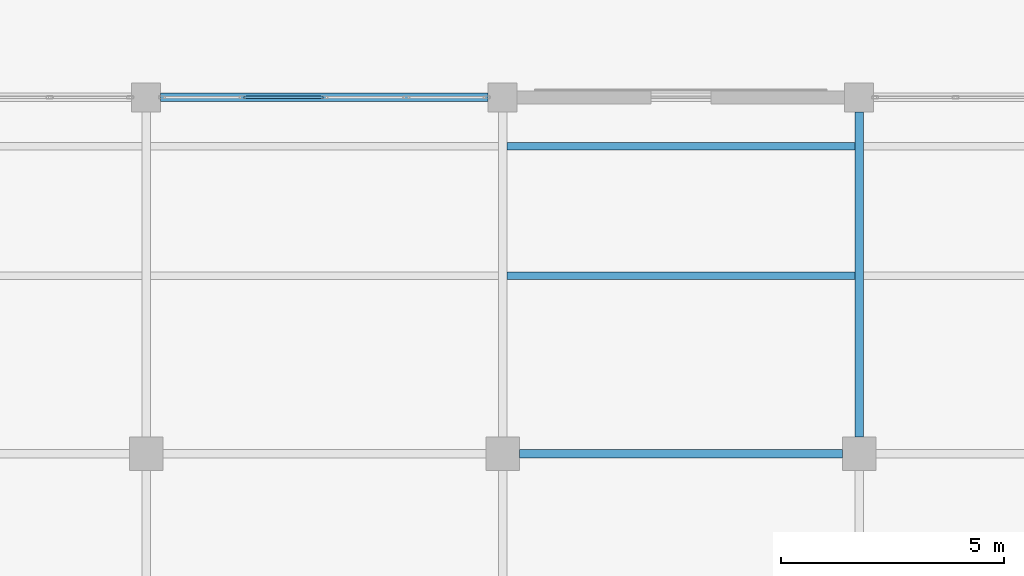
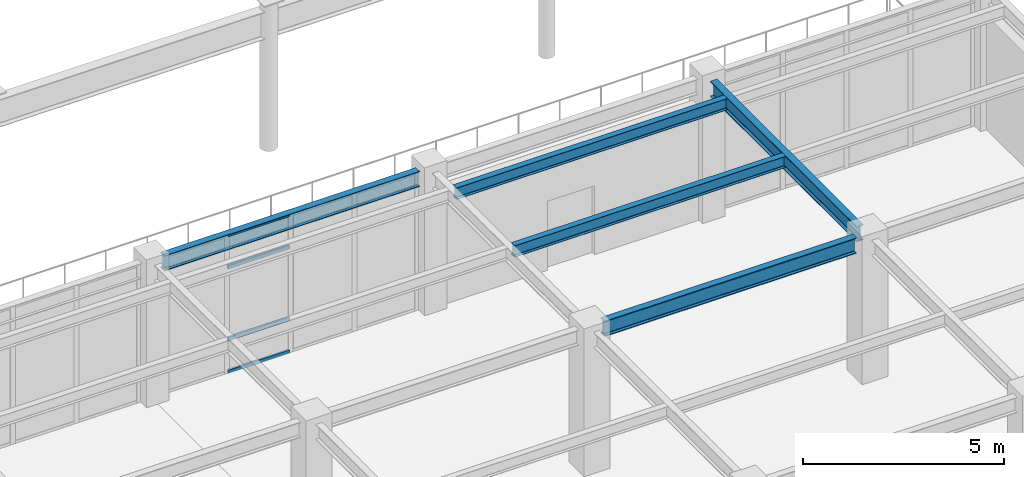
# One storey, part 25 of 78: 5 beams, 4 members, 1 element without a shape of its own.
"""IFC4 building model written with IfcOpenShell, lengths in metres."""

from ifc_helpers import new_model, si_unit, direction, frame, origin, origin_2d, place, context, subcontext, project, spatial, hollow_rectangle, i_section, extrude, material, material_profile, profile_set, type_object, element, aggregate, save


model = new_model("IFC4")

# Units and contexts
model_context = context("Model", 3, precision=1e-05, world=origin(), true_north=direction((0.0, 1.0)))
body_context = subcontext(model_context, "Body", "Model", "MODEL_VIEW")
ifc_project = project(units=[si_unit("LENGTHUNIT", "METRE"), si_unit("AREAUNIT", "SQUARE_METRE"), si_unit("VOLUMEUNIT", "CUBIC_METRE"), si_unit("PLANEANGLEUNIT", "RADIAN"), si_unit("MASSUNIT", "GRAM", prefix="KILO")], contexts=[model_context])

# Site, building, storey
site_placement = place(None, origin())
site = spatial("IfcSite", under=ifc_project, at=site_placement, CompositionType="ELEMENT")
building_placement = place(site_placement, origin())
building = spatial("IfcBuilding", under=site, at=building_placement, Name="Solmirada Galleria", CompositionType="ELEMENT")
storey_placement = place(building_placement, frame((0.0, 0.0, 23.89990234375)))
storey = spatial("IfcBuildingStorey", under=building, at=storey_placement, Name="L05", CompositionType="ELEMENT", Elevation=23.89990234375)

# Beams
ifc_material_1 = material(Name="Steel S355 / ASTM A992 Grade 50", Category="steel")
ifc_material_profile_1 = material_profile(ifc_material_1, i_section(OverallWidth=0.194091796875, OverallDepth=0.468994140625, WebThickness=0.0126953125, FlangeThickness=0.0205078125, FilletRadius=0.013916015625, at=origin_2d()), Name="W18X71")
ifc_profile_set_1 = profile_set([ifc_material_profile_1], Name="Steel S355 / ASTM A992 Grade 50")
beam_type_1 = type_object("IfcBeamType", Name="BM-GIRD-W18B", PredefinedType="BEAM", material=ifc_profile_set_1)
beam_1_placement = place(storey_placement, frame((120.375, 16.0, 4.065673828125), z_axis=(1.0, 0.0, 0.0), x_axis=(0.0, 1.0, 0.0)))
element("IfcBeam", 1, at=beam_1_placement, inside=storey, type_object=beam_type_1, Name="Primary beam L06 X(120..128, 16)", PredefinedType="BEAM", context=body_context, shape_type="SweptSolid", body=[
    extrude(i_section(OverallWidth=0.194091796875, OverallDepth=0.468994140625, WebThickness=0.0126953125, FlangeThickness=0.0205078125, FilletRadius=0.013916015625, at=origin_2d()), origin(), (0.0, 0.0, 1.0), 7.25),
])
ifc_material_profile_2 = material_profile(ifc_material_1, i_section(OverallWidth=0.193115234375, OverallDepth=0.466064453125, WebThickness=0.011474609375, FlangeThickness=0.01904296875, FilletRadius=0.013916015625, at=origin_2d()), Name="W18X65")
ifc_profile_set_2 = profile_set([ifc_material_profile_2], Name="Steel S355 / ASTM A992 Grade 50")
beam_type_2 = type_object("IfcBeamType", Name="BM-GIRD-W18C", PredefinedType="BEAM", material=ifc_profile_set_2)
beam_2_placement = place(storey_placement, frame((112.324951171875, 24.0, 4.027099609375), z_axis=(1.0, 0.0, 0.0), x_axis=(0.0, 1.0, 0.0)))
element("IfcBeam", 2, at=beam_2_placement, inside=storey, type_object=beam_type_2, Name="Primary beam L06 X(112..120, 24)", PredefinedType="BEAM", context=body_context, shape_type="SweptSolid", body=[
    extrude(i_section(OverallWidth=0.193115234375, OverallDepth=0.466064453125, WebThickness=0.011474609375, FlangeThickness=0.01904296875, FilletRadius=0.013916015625, at=origin_2d()), origin(), (0.0, 0.0, 1.0), 7.35009765625),
])
beam_3_placement = place(storey_placement, frame((128.0, 16.375, 4.027099609375), z_axis=(0.0, 1.0, 0.0), x_axis=(-1.0, 0.0, 0.0)))
element("IfcBeam", 3, at=beam_3_placement, inside=storey, type_object=beam_type_2, Name="Primary girder L06 Y(128, 16..24)", PredefinedType="BEAM", context=body_context, shape_type="SweptSolid", body=[
    extrude(i_section(OverallWidth=0.193115234375, OverallDepth=0.466064453125, WebThickness=0.011474609375, FlangeThickness=0.01904296875, FilletRadius=0.013916015625, at=origin_2d()), origin(), (0.0, 0.0, 1.0), 7.300048828125),
])
ifc_material_profile_3 = material_profile(ifc_material_1, i_section(OverallWidth=0.1708984375, OverallDepth=0.35205078125, WebThickness=0.0068359375, FlangeThickness=0.009765625, FilletRadius=0.010986328125, at=origin_2d()), Name="W14X30")
ifc_profile_set_3 = profile_set([ifc_material_profile_3], Name="Steel S355 / ASTM A992 Grade 50")
beam_type_3 = type_object("IfcBeamType", Name="BM-JST-W14B", PredefinedType="JOIST", material=ifc_profile_set_3)
for number, where, z_axis, x_axis, name in (
    (4, (120.096435546875, 20.0, 4.083984375), (1.0, 0.0, 0.0), (0.0, 1.0, 0.0), "Composite floor joist L06 (120..128, 20.0)"),
    (5, (120.096435546875, 22.89990234375, 4.083984375), (1.0, 0.0, 0.0), (0.0, 1.0, 0.0), "Terrace deck joist L06-TERR-SE X=120..128 (2)"),
):
    element("IfcBeam", number, at=place(storey_placement, frame(where, z_axis=z_axis, x_axis=x_axis)), inside=storey, type_object=beam_type_3, Name=name, PredefinedType="JOIST", context=body_context, shape_type="SweptSolid", body=[
        extrude(i_section(OverallWidth=0.1708984375, OverallDepth=0.35205078125, WebThickness=0.0068359375, FlangeThickness=0.009765625, FilletRadius=0.010986328125, at=origin_2d()), origin(), (0.0, 0.0, 1.0), 7.80712890625),
    ])

# Curtain wall, members
ifc_material_2 = material(Name="Impact-resistant low-E double glazing", Category="glass")
curtain_wall_type = type_object("IfcCurtainWallType", Name="CW-FZ5-L05-B4-L074", PredefinedType="NOTDEFINED", material=ifc_material_2)
curtain_wall_placement = place(storey_placement, origin())
curtain_wall = element("IfcCurtainWall", 6, at=curtain_wall_placement, inside=storey, type_object=curtain_wall_type, Name="Terrace and arcade storefront CW-L05-183", PredefinedType="NOTDEFINED")
ifc_material_3 = material(Name="Anodised aluminium framing", Category="aluminium")
ifc_material_profile_4 = material_profile(ifc_material_3, hollow_rectangle(XDim=0.06005859375, YDim=0.110107421875, WallThickness=0.003173828125, InnerFilletRadius=0.003173828125, OuterFilletRadius=0.00634765625, at=origin_2d()), Name="ALU-TRAN-110X60")
ifc_profile_set_4 = profile_set([ifc_material_profile_4], Name="Anodised aluminium framing")
member_type = type_object("IfcMemberType", Name="CW-TRAN-110", PredefinedType="USERDEFINED", material=ifc_profile_set_4)
member_1_placement = place(storey_placement, frame((114.193603515625, 24.0, 0.030029296875), z_axis=(1.0, 0.0, 0.0), x_axis=(0.0, 1.0, 0.0)))
member_1 = element("IfcMember", 7, at=member_1_placement, type_object=member_type, Name="CW37 transom 2.1", ObjectType="TRANSOM", PredefinedType="USERDEFINED", context=body_context, shape_type="SweptSolid", body=[
    extrude(hollow_rectangle(XDim=0.06005859375, YDim=0.110107421875, WallThickness=0.003173828125, InnerFilletRadius=0.003173828125, OuterFilletRadius=0.00634765625, at=origin_2d()), origin(), (0.0, 0.0, 1.0), 1.7763671875),
])
member_2_placement = place(storey_placement, frame((114.193603515625, 24.0, 1.02001953125), z_axis=(1.0, 0.0, 0.0), x_axis=(0.0, 1.0, 0.0)))
member_2 = element("IfcMember", 8, at=member_2_placement, type_object=member_type, Name="CW37 transom 2.2", ObjectType="TRANSOM", PredefinedType="USERDEFINED", context=body_context, shape_type="SweptSolid", body=[
    extrude(hollow_rectangle(XDim=0.06005859375, YDim=0.110107421875, WallThickness=0.003173828125, InnerFilletRadius=0.003173828125, OuterFilletRadius=0.00634765625, at=origin_2d()), origin(), (0.0, 0.0, 1.0), 1.7763671875),
])
member_3_placement = place(storey_placement, frame((114.193603515625, 24.0, 3.210205078125), z_axis=(1.0, 0.0, 0.0), x_axis=(0.0, 1.0, 0.0)))
member_3 = element("IfcMember", 9, at=member_3_placement, type_object=member_type, Name="CW37 transom 2.3", ObjectType="TRANSOM", PredefinedType="USERDEFINED", context=body_context, shape_type="SweptSolid", body=[
    extrude(hollow_rectangle(XDim=0.06005859375, YDim=0.110107421875, WallThickness=0.003173828125, InnerFilletRadius=0.003173828125, OuterFilletRadius=0.00634765625, at=origin_2d()), origin(), (0.0, 0.0, 1.0), 1.7763671875),
])
member_4_placement = place(storey_placement, frame((114.193603515625, 24.0, 4.190185546875), z_axis=(1.0, 0.0, 0.0), x_axis=(0.0, 1.0, 0.0)))
member_4 = element("IfcMember", 10, at=member_4_placement, type_object=member_type, Name="CW37 transom 2.4", ObjectType="TRANSOM", PredefinedType="USERDEFINED", context=body_context, shape_type="SweptSolid", body=[
    extrude(hollow_rectangle(XDim=0.06005859375, YDim=0.110107421875, WallThickness=0.003173828125, InnerFilletRadius=0.003173828125, OuterFilletRadius=0.00634765625, at=origin_2d()), origin(), (0.0, 0.0, 1.0), 1.7763671875),
])
aggregate(curtain_wall, [member_1, member_2, member_3, member_4])

save(model, "model.ifc")
